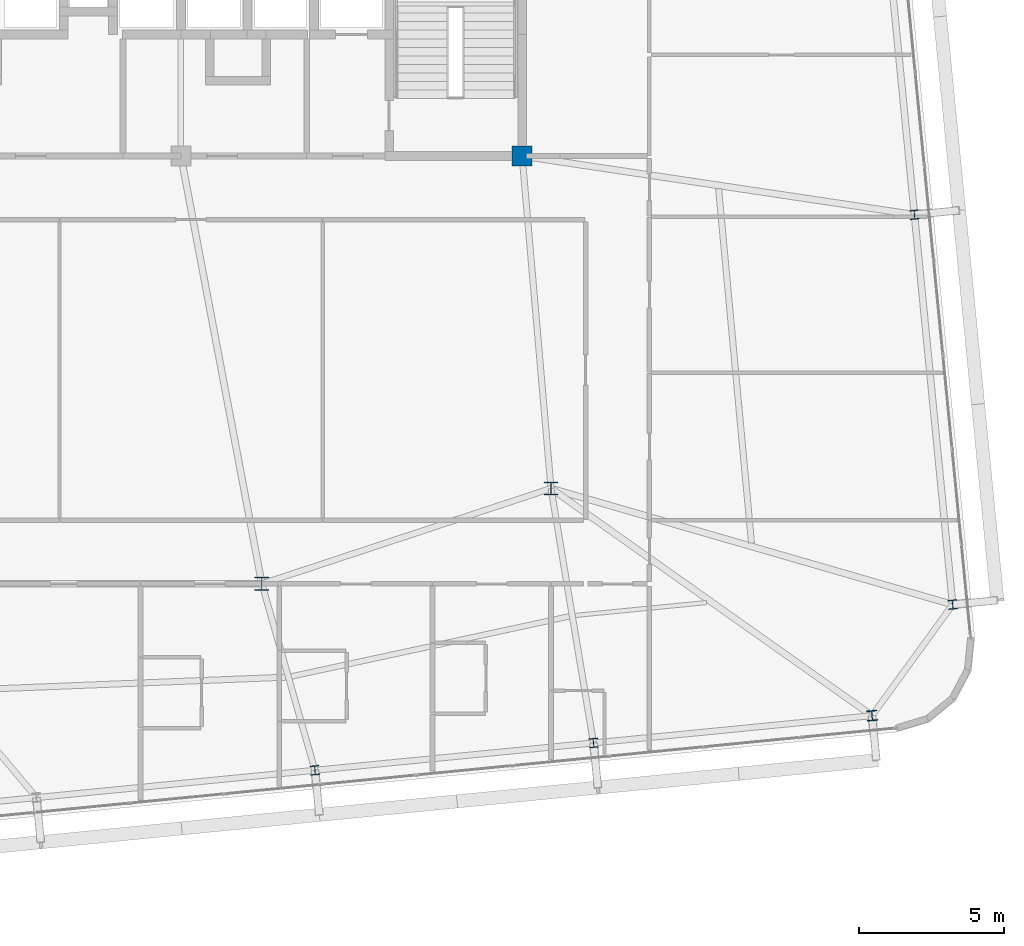
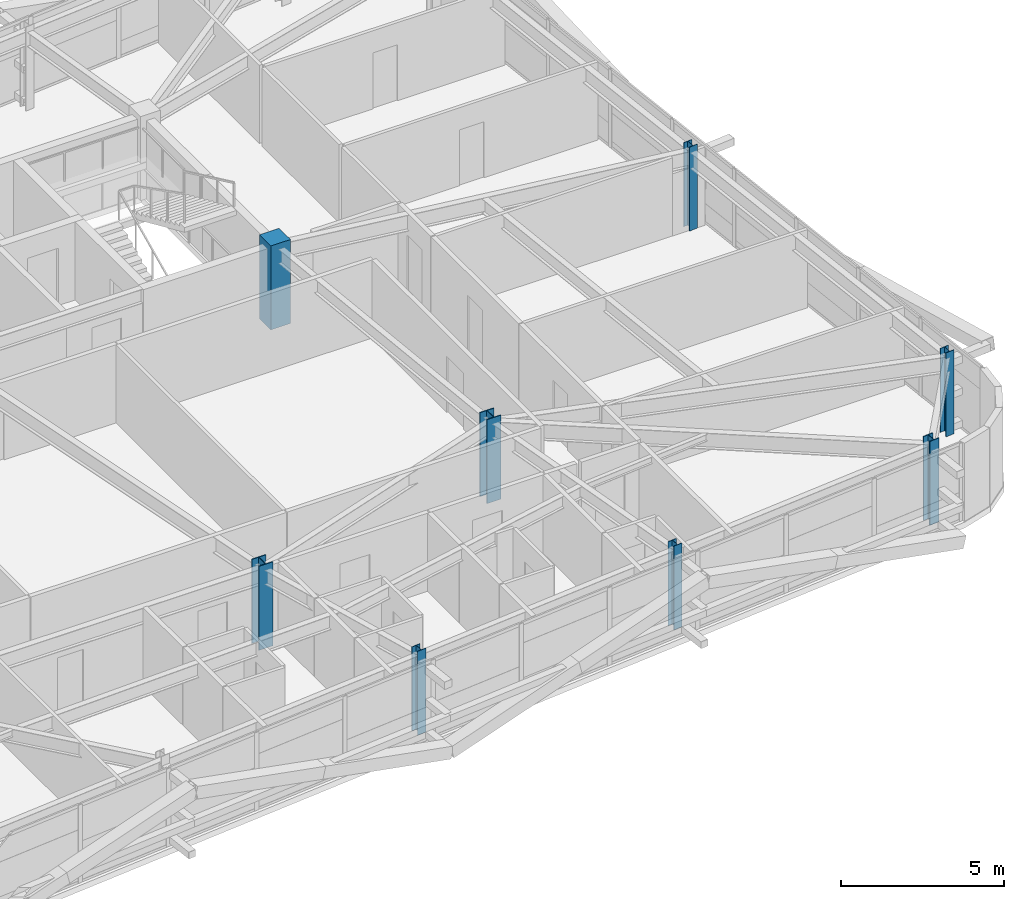
# One storey, part 2 of 53: 8 columns.
"""IFC4 building model written with IfcOpenShell, lengths in metres."""

import ifcopenshell
import ifcopenshell.guid

model = None  # the IFC model being written
_history = None  # IfcOwnerHistory: only IFC2X3 demands one
_inside = {}  # id of a spatial element -> (the spatial element, [elements in it])
_under = {}  # id of a project, library or spatial element -> (it, [spatial elements below it])
_declared = {}  # id of a project -> (the project, [libraries it declares])
_typed = {}  # id of a type object -> (the type object, [elements of that type])
_made_of = {}  # id of a material, layer set ... -> (it, [elements and type objects made of it])


def new_model(schema):
    """Start an empty IFC model of exactly this schema.

    Asked for "IFC4X3", IfcOpenShell would pick the latest addendum, in which some entities
    have other attributes; the version numbers below select the first issue.
    IFC2X3 requires an IfcOwnerHistory on every rooted entity: one is made here for all.
    """
    global model, _history
    if schema == "IFC4X3":
        model = ifcopenshell.file(schema_version=(4, 3, 0, 0))
    else:
        model = ifcopenshell.file(schema=schema)
    _inside.clear()
    _under.clear()
    _declared.clear()
    _typed.clear()
    _made_of.clear()
    _history = None
    if model.schema == "IFC2X3":
        org = make("IfcOrganization", Name="unknown")
        user = make(
            "IfcPersonAndOrganization",
            ThePerson=make("IfcPerson", FamilyName="unknown"),
            TheOrganization=org,
        )
        app = make(
            "IfcApplication",
            ApplicationDeveloper=org,
            Version="unknown",
            ApplicationFullName="unknown",
            ApplicationIdentifier="unknown",
        )
        _history = make(
            "IfcOwnerHistory",
            OwningUser=user,
            OwningApplication=app,
            ChangeAction="ADDED",
            CreationDate=0,
        )
    return model


def make(cls, **values):
    """One entity of the class cls with the attributes given. An attribute that is None is left unset."""
    return model.create_entity(
        cls, **{name: value for name, value in values.items() if value is not None}
    )


def rooted(cls, **values):
    """An entity with a GlobalId (a new one), such as an element, a storey or a relation."""
    return make(cls, GlobalId=ifcopenshell.guid.new(), OwnerHistory=_history, **values)


def si_unit(unit_type, name, prefix=None):
    """IfcSIUnit, for example si_unit("LENGTHUNIT", "METRE", prefix="MILLI")."""
    return make("IfcSIUnit", UnitType=unit_type, Prefix=prefix, Name=name)


def assignment(units):
    """IfcUnitAssignment: the units of a project."""
    return None if units is None else make("IfcUnitAssignment", Units=units)


def point(xyz):
    """IfcCartesianPoint."""
    return None if xyz is None else make("IfcCartesianPoint", Coordinates=xyz)


def direction(xyz):
    """IfcDirection."""
    return None if xyz is None else make("IfcDirection", DirectionRatios=xyz)


def frame(location, z_axis=None, x_axis=None):
    """IfcAxis2Placement3D, a coordinate frame: its origin and axes. An axis left out is left unset."""
    return make(
        "IfcAxis2Placement3D",
        Location=point(location),
        Axis=direction(z_axis),
        RefDirection=direction(x_axis),
    )


def frame_2d(location, x_axis=None):
    """IfcAxis2Placement2D, a coordinate frame in the plane: its origin and x axis."""
    return make(
        "IfcAxis2Placement2D", Location=point(location), RefDirection=direction(x_axis)
    )


def origin():
    """The frame at (0, 0, 0) with its axes left unset."""
    return frame((0.0, 0.0, 0.0))


def origin_2d():
    """The frame at (0, 0) in the plane with its x axis left unset."""
    return frame_2d((0.0, 0.0))


def place(relative_to, where):
    """IfcLocalPlacement: puts the frame where relative to a parent placement (None: the world)."""
    return make(
        "IfcLocalPlacement", PlacementRelTo=relative_to, RelativePlacement=where
    )


def context(
    kind, dimensions, precision=None, world=None, true_north=None, identifier=None
):
    """IfcGeometricRepresentationContext, for example the 3D "Model" context."""
    return make(
        "IfcGeometricRepresentationContext",
        ContextIdentifier=identifier,
        ContextType=kind,
        CoordinateSpaceDimension=dimensions,
        Precision=precision,
        WorldCoordinateSystem=world,
        TrueNorth=true_north,
    )


def subcontext(parent, identifier, kind, view, scale=None):
    """IfcGeometricRepresentationSubContext, for example "Body" below "Model"."""
    return make(
        "IfcGeometricRepresentationSubContext",
        ContextIdentifier=identifier,
        ContextType=kind,
        ParentContext=parent,
        TargetScale=scale,
        TargetView=view,
    )


def project(units=None, contexts=None):
    """IfcProject with its units and contexts."""
    return rooted(
        "IfcProject",
        Name="project",
        RepresentationContexts=contexts,
        UnitsInContext=assignment(units),
    )


def spatial(cls, under=None, at=None, **own):
    """A site, building, storey or space (cls), placed at a placement, below another one or the project."""
    s = rooted(cls, ObjectPlacement=at, **own)
    if under is not None:
        _under.setdefault(under.id(), (under, []))[1].append(s)
    return s


def profile(cls, at=None, kind="AREA", **sizes):
    """A parametric profile (cls). Its sizes go by their IFC names, for example OverallWidth=200.0."""
    return make(cls, ProfileType=kind, Position=at, **sizes)


def rectangle(**sizes):
    """IfcRectangleProfileDef."""
    return profile("IfcRectangleProfileDef", **sizes)


def i_section(**sizes):
    """IfcIShapeProfileDef."""
    return profile("IfcIShapeProfileDef", **sizes)


def extrude(swept, where, along, depth):
    """IfcExtrudedAreaSolid: the profile swept, set in the frame where, extruded along a direction by depth."""
    return make(
        "IfcExtrudedAreaSolid",
        SweptArea=swept,
        Position=where,
        ExtrudedDirection=direction(along),
        Depth=depth,
    )


def shape(context_of_items, identifier, shape_type, items):
    """IfcShapeRepresentation: the items that make up one representation, for example the "Body"."""
    return make(
        "IfcShapeRepresentation",
        ContextOfItems=context_of_items,
        RepresentationIdentifier=identifier,
        RepresentationType=shape_type,
        Items=items,
    )


def source(mapping_origin, context_of_items, identifier, shape_type, items):
    """IfcRepresentationMap: a shape defined once, which mapped items show again and again."""
    return make(
        "IfcRepresentationMap",
        MappingOrigin=mapping_origin,
        MappedRepresentation=shape(context_of_items, identifier, shape_type, items),
    )


def transform(
    local_origin,
    x_axis=None,
    y_axis=None,
    z_axis=None,
    scale=None,
    scale2=None,
    scale3=None,
    uniform=True,
):
    """IfcCartesianTransformationOperator3D, or its non-uniform kind. x_axis, y_axis, z_axis: its Axis1, 2, 3."""
    if uniform:
        return make(
            "IfcCartesianTransformationOperator3D",
            Axis1=direction(x_axis),
            Axis2=direction(y_axis),
            LocalOrigin=point(local_origin),
            Scale=scale,
            Axis3=direction(z_axis),
        )
    return make(
        "IfcCartesianTransformationOperator3DnonUniform",
        Axis1=direction(x_axis),
        Axis2=direction(y_axis),
        LocalOrigin=point(local_origin),
        Scale=scale,
        Axis3=direction(z_axis),
        Scale2=scale2,
        Scale3=scale3,
    )


def mapped(mapping_source, mapping_target):
    """IfcMappedItem: shows the shape of a source again, moved by a transform."""
    return make(
        "IfcMappedItem", MappingSource=mapping_source, MappingTarget=mapping_target
    )


def material(Name=None, Category=None):
    """IfcMaterial."""
    return make("IfcMaterial", Name=Name, Category=Category)


def material_profile(
    of_material, cross_section, Name=None, Category=None, Priority=None
):
    """IfcMaterialProfile: a cross section and its material."""
    return make(
        "IfcMaterialProfile",
        Name=Name,
        Material=of_material,
        Profile=cross_section,
        Priority=Priority,
        Category=Category,
    )


def profile_set(profiles, Name=None, composite=None):
    """IfcMaterialProfileSet."""
    return make(
        "IfcMaterialProfileSet",
        Name=Name,
        MaterialProfiles=profiles,
        CompositeProfile=composite,
    )


def made_of(thing, what):
    """Note that an element or type object is made of a material, layer set ...; save() writes the relation."""
    if what is not None:
        _made_of.setdefault(what.id(), (what, []))[1].append(thing)
    return thing


def type_object(cls, material=None, **own):
    """A type object (cls), such as IfcWallType, which elements share."""
    return made_of(rooted(cls, **own), material)


def element(
    cls,
    number,
    at=None,
    inside=None,
    cuts=None,
    type_object=None,
    material=None,
    context=None,
    identifier="Body",
    shape_type=None,
    held_by="IfcProductDefinitionShape",
    body=None,
    shapes=None,
    **own,
):
    """One element of the class cls, such as IfcWall. Its Tag is "e" and its number.

    at: its placement. inside: the storey or other place that contains it. cuts: it is an
    opening in that element (IfcRelVoidsElement). A single representation is given by context,
    identifier, shape_type and body (its items); several are given by shapes. held_by: the class
    of the entity that holds the representations. save() writes the other relations.
    """
    e = rooted(cls, Tag="e%d" % number, ObjectPlacement=at, **own)
    if body is not None:
        shapes = [shape(context, identifier, shape_type, body)]
    if shapes is not None:
        e.Representation = make(held_by, Representations=shapes)
    if inside is not None:
        _inside.setdefault(inside.id(), (inside, []))[1].append(e)
    if cuts is not None:
        rooted(
            "IfcRelVoidsElement", RelatingBuildingElement=cuts, RelatedOpeningElement=e
        )
    if type_object is not None:
        _typed.setdefault(type_object.id(), (type_object, []))[1].append(e)
    return made_of(e, material)


def aggregate(whole, parts):
    """IfcRelAggregates: a whole, such as a stair, and the parts it consists of."""
    return rooted("IfcRelAggregates", RelatingObject=whole, RelatedObjects=parts)


def save(model, path):
    """Write the relations noted so far, then the file.

    IfcRelAggregates (storeys below a building ...), IfcRelContainedInSpatialStructure (elements
    in a storey), IfcRelDefinesByType, IfcRelAssociatesMaterial and IfcRelDeclares: one each for
    every whole, place, type object, material and project.
    """
    for whole, parts in _under.values():
        aggregate(whole, parts)
    for where, things in _inside.values():
        rooted(
            "IfcRelContainedInSpatialStructure",
            RelatedElements=things,
            RelatingStructure=where,
        )
    for kind, things in _typed.values():
        rooted("IfcRelDefinesByType", RelatedObjects=things, RelatingType=kind)
    for what, things in _made_of.values():
        rooted("IfcRelAssociatesMaterial", RelatedObjects=things, RelatingMaterial=what)
    for by, libraries in _declared.values():
        rooted("IfcRelDeclares", RelatingContext=by, RelatedDefinitions=libraries)
    model.write(path)


model = new_model("IFC4")

# Units and contexts
model_context = context("Model", 3, precision=1e-05, world=origin(), true_north=direction((0.0, 1.0)))
body_context = subcontext(model_context, "Body", "Model", "MODEL_VIEW")
ifc_project = project(units=[si_unit("LENGTHUNIT", "METRE"), si_unit("AREAUNIT", "SQUARE_METRE"), si_unit("VOLUMEUNIT", "CUBIC_METRE"), si_unit("PLANEANGLEUNIT", "RADIAN"), si_unit("MASSUNIT", "GRAM", prefix="KILO")], contexts=[model_context])

# Site, building, storey
site_placement = place(None, origin())
site = spatial("IfcSite", under=ifc_project, at=site_placement, CompositionType="ELEMENT")
building_placement = place(site_placement, origin())
building = spatial("IfcBuilding", under=site, at=building_placement, Name="Taldren Reach Tower", CompositionType="ELEMENT")
storey_placement = place(building_placement, frame((0.0, 0.0, 71.39990234375)))
storey = spatial("IfcBuildingStorey", under=building, at=storey_placement, Name="L21", CompositionType="ELEMENT", Elevation=71.39990234375)

# Columns
ifc_material_1 = material(Name="Steel Gr 350 (350PLUS)", Category="steel")
ifc_material_profile_1 = material_profile(ifc_material_1, i_section(OverallWidth=0.5, OverallDepth=0.464111328125, WebThickness=0.02197265625, FlangeThickness=0.033935546875, at=origin_2d()), Name="500WC340")
ifc_profile_set_1 = profile_set([ifc_material_profile_1], Name="Steel Gr 350 (350PLUS)")
column_type_1 = type_object("IfcColumnType", Name="COL-WC500B", PredefinedType="COLUMN", material=ifc_profile_set_1)
shared_shape_1 = source(origin(), body_context, "Body", "SweptSolid", [
    extrude(i_section(OverallWidth=0.5, OverallDepth=0.464111328125, WebThickness=0.02197265625, FlangeThickness=0.033935546875, at=origin_2d()), origin(), (0.0, 0.0, 1.0), 3.150146484375),
])
for number, where, z_axis, x_axis, name in (
    (1, (42.0, 9.199951171875, 0.0), (0.0, 0.0, 1.0), (1.0, 0.0, 0.0), "Mega column MC-PJE L21"),
    (2, (52.0, 12.5, 0.0), (0.0, 0.0, 1.0), (1.0, 0.0, 0.0), "Mega column MC-SE L21"),
):
    element("IfcColumn", number, at=place(storey_placement, frame(where, z_axis=z_axis, x_axis=x_axis)), inside=storey, type_object=column_type_1, Name=name, PredefinedType="COLUMN", context=body_context, shape_type="MappedRepresentation", body=[
        mapped(shared_shape_1, transform((0.0, 0.0, 0.0), scale=1.0)),
    ])
ifc_material_2 = material(Name="Concrete S65 (65 MPa)", Category="concrete")
ifc_material_profile_2 = material_profile(ifc_material_2, rectangle(XDim=0.699951171875, YDim=0.699951171875, at=origin_2d()), Name="RC-700x700")
ifc_profile_set_2 = profile_set([ifc_material_profile_2], Name="Concrete S65 (65 MPa)")
column_type_2 = type_object("IfcColumnType", Name="COL-RC700", PredefinedType="COLUMN", material=ifc_profile_set_2)
shared_shape_2 = source(origin(), body_context, "Body", "SweptSolid", [
    extrude(rectangle(XDim=0.699951171875, YDim=0.699951171875, at=origin_2d()), origin(), (0.0, 0.0, 1.0), 3.150146484375),
])
column_1_placement = place(storey_placement, frame((51.0, 24.0, 0.0), z_axis=(0.0, 0.0, 1.0), x_axis=(1.0, 0.0, 0.0)))
element("IfcColumn", 3, at=column_1_placement, inside=storey, type_object=column_type_2, Name="Mega column MC-C4 L21", PredefinedType="COLUMN", context=body_context, shape_type="MappedRepresentation", body=[
    mapped(shared_shape_2, transform((0.0, 0.0, 0.0), scale=1.0)),
])
ifc_material_profile_3 = material_profile(ifc_material_1, i_section(OverallWidth=0.35009765625, OverallDepth=0.35595703125, WebThickness=0.01806640625, FlangeThickness=0.028076171875, at=origin_2d()), Name="350WC197")
ifc_profile_set_3 = profile_set([ifc_material_profile_3], Name="Steel Gr 350 (350PLUS)")
column_type_3 = type_object("IfcColumnType", Name="COL-WC350", PredefinedType="COLUMN", material=ifc_profile_set_3)
shared_shape_3 = source(origin(), body_context, "Body", "SweptSolid", [
    extrude(i_section(OverallWidth=0.35009765625, OverallDepth=0.35595703125, WebThickness=0.01806640625, FlangeThickness=0.028076171875, at=origin_2d()), origin(), (0.0, 0.0, 1.0), 3.150146484375),
])
column_2_placement = place(storey_placement, frame((63.103271484375, 4.64306640625, 0.0), z_axis=(0.0, 0.0, 1.0), x_axis=(0.995227399982, 0.097582899759, 0.0)))
element("IfcColumn", 4, at=column_2_placement, inside=storey, type_object=column_type_3, Name="Block B2 perimeter column S6 L21", PredefinedType="COLUMN", context=body_context, shape_type="MappedRepresentation", body=[
    mapped(shared_shape_3, transform((0.0, 0.0, 0.0), scale=1.0)),
])
ifc_material_profile_4 = material_profile(ifc_material_1, i_section(OverallWidth=0.306884765625, OverallDepth=0.31494140625, WebThickness=0.011962890625, FlangeThickness=0.018798828125, at=origin_2d()), Name="310UC118")
ifc_profile_set_4 = profile_set([ifc_material_profile_4], Name="Steel Gr 350 (350PLUS)")
column_type_4 = type_object("IfcColumnType", Name="COL-UC310B", PredefinedType="COLUMN", material=ifc_profile_set_4)
shared_shape_4 = source(origin(), body_context, "Body", "SweptSolid", [
    extrude(i_section(OverallWidth=0.306884765625, OverallDepth=0.31494140625, WebThickness=0.011962890625, FlangeThickness=0.018798828125, at=origin_2d()), origin(), (0.0, 0.0, 1.0), 3.150146484375),
])
for number, where, z_axis, x_axis, name in (
    (5, (43.83544921875, 2.75390625, 0.0), (0.0, 0.0, 1.0), (0.995227399982, 0.097582899759, 0.0), "Block B2 perimeter column S4 L21"),
    (6, (53.469482421875, 3.698486328125, 0.0), (0.0, 0.0, 1.0), (0.995227399982, 0.097582899759, 0.0), "Block B2 perimeter column S5 L21"),
    (7, (65.8916015625, 8.483642578125, 0.0), (0.0, 0.0, 1.0), (0.995227399982, 0.097582899759, 0.0), "Block B2 perimeter column E1 L21"),
    (8, (64.569580078125, 21.968994140625, 0.0), (0.0, 0.0, 1.0), (0.995227399982, 0.097582899759, 0.0), "Block B2 perimeter column E2 L21"),
):
    element("IfcColumn", number, at=place(storey_placement, frame(where, z_axis=z_axis, x_axis=x_axis)), inside=storey, type_object=column_type_4, Name=name, PredefinedType="COLUMN", context=body_context, shape_type="MappedRepresentation", body=[
        mapped(shared_shape_4, transform((0.0, 0.0, 0.0), scale=1.0)),
    ])

save(model, "model.ifc")
